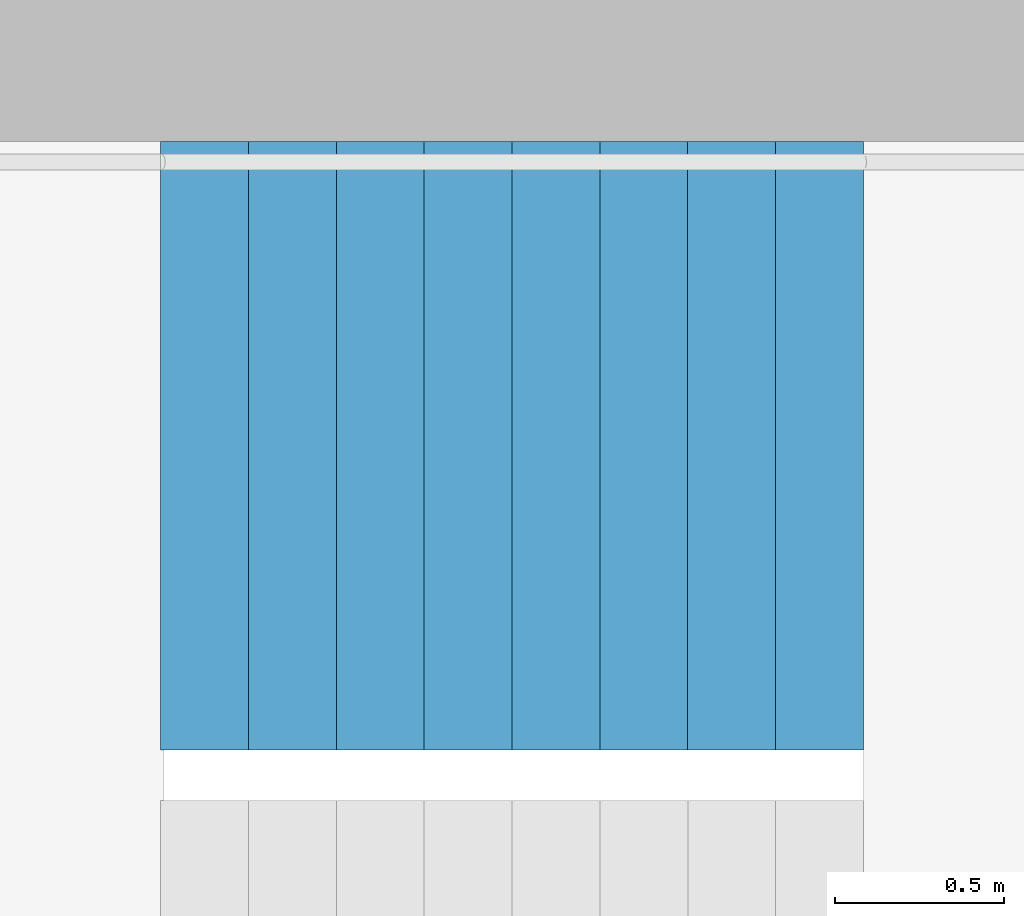
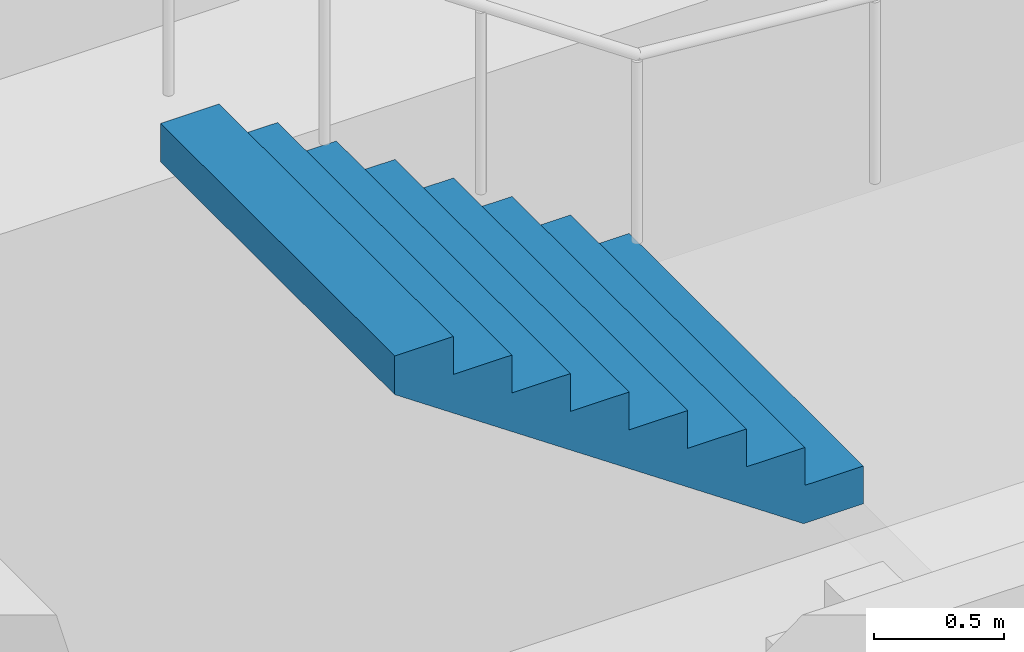
# One storey, part 21 of 26: 1 stair flight, 1 element without a shape of its own.
"""IFC4 building model written with IfcOpenShell, lengths in metres."""

from ifc_helpers import new_model, si_unit, direction, frame, origin, place, context, subcontext, project, spatial, triangles, material, type_object, element, aggregate, save


model = new_model("IFC4")

# Units and contexts
model_context = context("Model", 3, precision=1e-05, world=origin(), true_north=direction((0.0, 1.0)))
body_context = subcontext(model_context, "Body", "Model", "MODEL_VIEW")
ifc_project = project(units=[si_unit("LENGTHUNIT", "METRE"), si_unit("AREAUNIT", "SQUARE_METRE"), si_unit("VOLUMEUNIT", "CUBIC_METRE"), si_unit("PLANEANGLEUNIT", "RADIAN"), si_unit("MASSUNIT", "GRAM", prefix="KILO")], contexts=[model_context])

# Site, building, storey
site_placement = place(None, origin())
site = spatial("IfcSite", under=ifc_project, at=site_placement, CompositionType="ELEMENT")
building_placement = place(site_placement, origin())
building = spatial("IfcBuilding", under=site, at=building_placement, Name="Hakoniwa Tower and Hamabe Station Hall", CompositionType="ELEMENT")
storey_placement = place(building_placement, frame((0.0, 0.0, 143.800048828125)))
storey = spatial("IfcBuildingStorey", under=building, at=storey_placement, Name="L40", CompositionType="ELEMENT", Elevation=143.800048828125)

# Stair, stair flight
ifc_material_1 = material(Name="Concrete C40", Category="concrete")
stair_type = type_object("IfcStairType", Name="ESCAPE STAIR 1800", PredefinedType="HALF_TURN_STAIR", material=ifc_material_1)
stair_placement = place(storey_placement, origin())
stair = element("IfcStair", 1, at=stair_placement, inside=storey, type_object=stair_type, Name="Escape stair ST-1 L40", PredefinedType="HALF_TURN_STAIR")
ifc_material_2 = material(Name="Concrete C40", Category="concrete")
stair_flight_type = type_object("IfcStairFlightType", Name="STAIR FLIGHT 1800", PredefinedType="STRAIGHT", material=ifc_material_2)
stair_flight_placement = place(storey_placement, frame((-22.320068359375, 6.60009765625, 1.599853515625), z_axis=(0.0, 0.0, 1.0), x_axis=(-1.0, 0.0, 0.0)))
stair_flight = element("IfcStairFlight", 2, at=stair_flight_placement, type_object=stair_flight_type, Name="ST-1 flight 2", NumberOfRisers=9, NumberOfTreads=8, PredefinedType="STRAIGHT", RiserHeight=0.177777778, TreadLength=0.26, context=body_context, shape_type="Tessellation", body=[
    triangles([(0.0, 0.89990234375, 0.0), (0.260009765625, 0.89990234375, 0.0), (0.265625, 0.89990234375, 0.0), (0.52001953125, 0.89990234375, 0.174072265625), (0.780029296875, 0.89990234375, 0.351806640625), (1.0400390625, 0.89990234375, 0.529541015625), (1.300048828125, 0.89990234375, 0.707275390625), (1.56005859375, 0.89990234375, 0.885009765625), (1.820068359375, 0.89990234375, 1.062744140625), (2.080078125, 0.89990234375, 1.24072265625), (2.080078125, 0.89990234375, 1.422119140625), (1.820068359375, 0.89990234375, 1.422119140625), (1.820068359375, 0.89990234375, 1.244384765625), (1.56005859375, 0.89990234375, 1.244384765625), (1.56005859375, 0.89990234375, 1.066650390625), (1.300048828125, 0.89990234375, 1.066650390625), (1.300048828125, 0.89990234375, 0.888916015625), (1.0400390625, 0.89990234375, 0.888916015625), (1.0400390625, 0.89990234375, 0.711181640625), (0.780029296875, 0.89990234375, 0.711181640625), (0.780029296875, 0.89990234375, 0.533447265625), (0.52001953125, 0.89990234375, 0.533447265625), (0.52001953125, 0.89990234375, 0.35546875), (0.265625, 0.89990234375, 0.35546875), (0.260009765625, 0.89990234375, 0.35546875), (0.260009765625, 0.89990234375, 0.177734375), (0.0, 0.89990234375, 0.177734375), (0.0, 0.06005859375, 0.0), (0.260009765625, 0.06005859375, 0.0), (0.265625, 0.06005859375, 0.0), (0.52001953125, 0.06005859375, 0.174072265625), (0.780029296875, 0.06005859375, 0.351806640625), (1.0400390625, 0.06005859375, 0.529541015625), (1.300048828125, 0.06005859375, 0.707275390625), (1.56005859375, 0.06005859375, 0.885009765625), (1.820068359375, 0.06005859375, 1.062744140625), (2.080078125, 0.06005859375, 1.24072265625), (2.080078125, 0.06005859375, 1.422119140625), (1.820068359375, 0.06005859375, 1.422119140625), (1.820068359375, 0.06005859375, 1.244384765625), (1.56005859375, 0.06005859375, 1.244384765625), (1.56005859375, 0.06005859375, 1.066650390625), (1.300048828125, 0.06005859375, 1.066650390625), (1.300048828125, 0.06005859375, 0.888916015625), (1.0400390625, 0.06005859375, 0.888916015625), (1.0400390625, 0.06005859375, 0.711181640625), (0.780029296875, 0.06005859375, 0.711181640625), (0.780029296875, 0.06005859375, 0.533447265625), (0.52001953125, 0.06005859375, 0.533447265625), (0.52001953125, 0.06005859375, 0.35546875), (0.265625, 0.06005859375, 0.35546875), (0.260009765625, 0.06005859375, 0.35546875), (0.260009765625, 0.06005859375, 0.177734375), (0.0, 0.06005859375, 0.177734375), (0.0, 0.04296875, 0.0), (0.260009765625, 0.04296875, 0.0), (0.265625, 0.04296875, 0.0), (0.52001953125, 0.04296875, 0.174072265625), (0.780029296875, 0.04296875, 0.351806640625), (1.0400390625, 0.04296875, 0.529541015625), (1.300048828125, 0.04296875, 0.707275390625), (1.56005859375, 0.04296875, 0.885009765625), (1.820068359375, 0.04296875, 1.062744140625), (2.080078125, 0.04296875, 1.24072265625), (2.080078125, 0.04296875, 1.422119140625), (1.820068359375, 0.04296875, 1.422119140625), (1.820068359375, 0.04296875, 1.244384765625), (1.56005859375, 0.04296875, 1.244384765625), (1.56005859375, 0.04296875, 1.066650390625), (1.300048828125, 0.04296875, 1.066650390625), (1.300048828125, 0.04296875, 0.888916015625), (1.0400390625, 0.04296875, 0.888916015625), (1.0400390625, 0.04296875, 0.711181640625), (0.780029296875, 0.04296875, 0.711181640625), (0.780029296875, 0.04296875, 0.533447265625), (0.52001953125, 0.04296875, 0.533447265625), (0.52001953125, 0.04296875, 0.35546875), (0.265625, 0.04296875, 0.35546875), (0.260009765625, 0.04296875, 0.35546875), (0.260009765625, 0.04296875, 0.177734375), (0.0, 0.04296875, 0.177734375), (0.0, 0.025634765625, 0.0), (0.260009765625, 0.025634765625, 0.0), (0.265625, 0.025634765625, 0.0), (0.52001953125, 0.025634765625, 0.174072265625), (0.780029296875, 0.025634765625, 0.351806640625), (1.0400390625, 0.025634765625, 0.529541015625), (1.300048828125, 0.025634765625, 0.707275390625), (1.56005859375, 0.025634765625, 0.885009765625), (1.820068359375, 0.025634765625, 1.062744140625), (2.080078125, 0.025634765625, 1.24072265625), (2.080078125, 0.025634765625, 1.422119140625), (1.820068359375, 0.025634765625, 1.422119140625), (1.820068359375, 0.025634765625, 1.244384765625), (1.56005859375, 0.025634765625, 1.244384765625), (1.56005859375, 0.025634765625, 1.066650390625), (1.300048828125, 0.025634765625, 1.066650390625), (1.300048828125, 0.025634765625, 0.888916015625), (1.0400390625, 0.025634765625, 0.888916015625), (1.0400390625, 0.025634765625, 0.711181640625), (0.780029296875, 0.025634765625, 0.711181640625), (0.780029296875, 0.025634765625, 0.533447265625), (0.52001953125, 0.025634765625, 0.533447265625), (0.52001953125, 0.025634765625, 0.35546875), (0.265625, 0.025634765625, 0.35546875), (0.260009765625, 0.025634765625, 0.35546875), (0.260009765625, 0.025634765625, 0.177734375), (0.0, 0.025634765625, 0.177734375), (0.0, 0.008544921875, 0.0), (0.260009765625, 0.008544921875, 0.0), (0.265625, 0.008544921875, 0.0), (0.52001953125, 0.008544921875, 0.174072265625), (0.780029296875, 0.008544921875, 0.351806640625), (1.0400390625, 0.008544921875, 0.529541015625), (1.300048828125, 0.008544921875, 0.707275390625), (1.56005859375, 0.008544921875, 0.885009765625), (1.820068359375, 0.008544921875, 1.062744140625), (2.080078125, 0.008544921875, 1.24072265625), (2.080078125, 0.008544921875, 1.422119140625), (1.820068359375, 0.008544921875, 1.422119140625), (1.820068359375, 0.008544921875, 1.244384765625), (1.56005859375, 0.008544921875, 1.244384765625), (1.56005859375, 0.008544921875, 1.066650390625), (1.300048828125, 0.008544921875, 1.066650390625), (1.300048828125, 0.008544921875, 0.888916015625), (1.0400390625, 0.008544921875, 0.888916015625), (1.0400390625, 0.008544921875, 0.711181640625), (0.780029296875, 0.008544921875, 0.711181640625), (0.780029296875, 0.008544921875, 0.533447265625), (0.52001953125, 0.008544921875, 0.533447265625), (0.52001953125, 0.008544921875, 0.35546875), (0.265625, 0.008544921875, 0.35546875), (0.260009765625, 0.008544921875, 0.35546875), (0.260009765625, 0.008544921875, 0.177734375), (0.0, 0.008544921875, 0.177734375), (0.0, -0.008544921875, 0.0), (0.260009765625, -0.008544921875, 0.0), (0.265625, -0.008544921875, 0.0), (0.52001953125, -0.008544921875, 0.174072265625), (0.780029296875, -0.008544921875, 0.351806640625), (1.0400390625, -0.008544921875, 0.529541015625), (1.300048828125, -0.008544921875, 0.707275390625), (1.56005859375, -0.008544921875, 0.885009765625), (1.820068359375, -0.008544921875, 1.062744140625), (2.080078125, -0.008544921875, 1.24072265625), (2.080078125, -0.008544921875, 1.422119140625), (1.820068359375, -0.008544921875, 1.422119140625), (1.820068359375, -0.008544921875, 1.244384765625), (1.56005859375, -0.008544921875, 1.244384765625), (1.56005859375, -0.008544921875, 1.066650390625), (1.300048828125, -0.008544921875, 1.066650390625), (1.300048828125, -0.008544921875, 0.888916015625), (1.0400390625, -0.008544921875, 0.888916015625), (1.0400390625, -0.008544921875, 0.711181640625), (0.780029296875, -0.008544921875, 0.711181640625), (0.780029296875, -0.008544921875, 0.533447265625), (0.52001953125, -0.008544921875, 0.533447265625), (0.52001953125, -0.008544921875, 0.35546875), (0.265625, -0.008544921875, 0.35546875), (0.260009765625, -0.008544921875, 0.35546875), (0.260009765625, -0.008544921875, 0.177734375), (0.0, -0.008544921875, 0.177734375), (0.0, -0.025634765625, 0.0), (0.260009765625, -0.025634765625, 0.0), (0.265625, -0.025634765625, 0.0), (0.52001953125, -0.025634765625, 0.174072265625), (0.780029296875, -0.025634765625, 0.351806640625), (1.0400390625, -0.025634765625, 0.529541015625), (1.300048828125, -0.025634765625, 0.707275390625), (1.56005859375, -0.025634765625, 0.885009765625), (1.820068359375, -0.025634765625, 1.062744140625), (2.080078125, -0.025634765625, 1.24072265625), (2.080078125, -0.025634765625, 1.422119140625), (1.820068359375, -0.025634765625, 1.422119140625), (1.820068359375, -0.025634765625, 1.244384765625), (1.56005859375, -0.025634765625, 1.244384765625), (1.56005859375, -0.025634765625, 1.066650390625), (1.300048828125, -0.025634765625, 1.066650390625), (1.300048828125, -0.025634765625, 0.888916015625), (1.0400390625, -0.025634765625, 0.888916015625), (1.0400390625, -0.025634765625, 0.711181640625), (0.780029296875, -0.025634765625, 0.711181640625), (0.780029296875, -0.025634765625, 0.533447265625), (0.52001953125, -0.025634765625, 0.533447265625), (0.52001953125, -0.025634765625, 0.35546875), (0.265625, -0.025634765625, 0.35546875), (0.260009765625, -0.025634765625, 0.35546875), (0.260009765625, -0.025634765625, 0.177734375), (0.0, -0.025634765625, 0.177734375), (0.0, -0.04296875, 0.0), (0.260009765625, -0.04296875, 0.0), (0.265625, -0.04296875, 0.0), (0.52001953125, -0.04296875, 0.174072265625), (0.780029296875, -0.04296875, 0.351806640625), (1.0400390625, -0.04296875, 0.529541015625), (1.300048828125, -0.04296875, 0.707275390625), (1.56005859375, -0.04296875, 0.885009765625), (1.820068359375, -0.04296875, 1.062744140625), (2.080078125, -0.04296875, 1.24072265625), (2.080078125, -0.04296875, 1.422119140625), (1.820068359375, -0.04296875, 1.422119140625), (1.820068359375, -0.04296875, 1.244384765625), (1.56005859375, -0.04296875, 1.244384765625), (1.56005859375, -0.04296875, 1.066650390625), (1.300048828125, -0.04296875, 1.066650390625), (1.300048828125, -0.04296875, 0.888916015625), (1.0400390625, -0.04296875, 0.888916015625), (1.0400390625, -0.04296875, 0.711181640625), (0.780029296875, -0.04296875, 0.711181640625), (0.780029296875, -0.04296875, 0.533447265625), (0.52001953125, -0.04296875, 0.533447265625), (0.52001953125, -0.04296875, 0.35546875), (0.265625, -0.04296875, 0.35546875), (0.260009765625, -0.04296875, 0.35546875), (0.260009765625, -0.04296875, 0.177734375), (0.0, -0.04296875, 0.177734375), (0.0, -0.06005859375, 0.0), (0.260009765625, -0.06005859375, 0.0), (0.265625, -0.06005859375, 0.0), (0.52001953125, -0.06005859375, 0.174072265625), (0.780029296875, -0.06005859375, 0.351806640625), (1.0400390625, -0.06005859375, 0.529541015625), (1.300048828125, -0.06005859375, 0.707275390625), (1.56005859375, -0.06005859375, 0.885009765625), (1.820068359375, -0.06005859375, 1.062744140625), (2.080078125, -0.06005859375, 1.24072265625), (2.080078125, -0.06005859375, 1.422119140625), (1.820068359375, -0.06005859375, 1.422119140625), (1.820068359375, -0.06005859375, 1.244384765625), (1.56005859375, -0.06005859375, 1.244384765625), (1.56005859375, -0.06005859375, 1.066650390625), (1.300048828125, -0.06005859375, 1.066650390625), (1.300048828125, -0.06005859375, 0.888916015625), (1.0400390625, -0.06005859375, 0.888916015625), (1.0400390625, -0.06005859375, 0.711181640625), (0.780029296875, -0.06005859375, 0.711181640625), (0.780029296875, -0.06005859375, 0.533447265625), (0.52001953125, -0.06005859375, 0.533447265625), (0.52001953125, -0.06005859375, 0.35546875), (0.265625, -0.06005859375, 0.35546875), (0.260009765625, -0.06005859375, 0.35546875), (0.260009765625, -0.06005859375, 0.177734375), (0.0, -0.06005859375, 0.177734375), (0.0, -0.89990234375, 0.0), (0.260009765625, -0.89990234375, 0.0), (0.265625, -0.89990234375, 0.0), (0.52001953125, -0.89990234375, 0.174072265625), (0.780029296875, -0.89990234375, 0.351806640625), (1.0400390625, -0.89990234375, 0.529541015625), (1.300048828125, -0.89990234375, 0.707275390625), (1.56005859375, -0.89990234375, 0.885009765625), (1.820068359375, -0.89990234375, 1.062744140625), (2.080078125, -0.89990234375, 1.24072265625), (2.080078125, -0.89990234375, 1.422119140625), (1.820068359375, -0.89990234375, 1.422119140625), (1.820068359375, -0.89990234375, 1.244384765625), (1.56005859375, -0.89990234375, 1.244384765625), (1.56005859375, -0.89990234375, 1.066650390625), (1.300048828125, -0.89990234375, 1.066650390625), (1.300048828125, -0.89990234375, 0.888916015625), (1.0400390625, -0.89990234375, 0.888916015625), (1.0400390625, -0.89990234375, 0.711181640625), (0.780029296875, -0.89990234375, 0.711181640625), (0.780029296875, -0.89990234375, 0.533447265625), (0.52001953125, -0.89990234375, 0.533447265625), (0.52001953125, -0.89990234375, 0.35546875), (0.265625, -0.89990234375, 0.35546875), (0.260009765625, -0.89990234375, 0.35546875), (0.260009765625, -0.89990234375, 0.177734375), (0.0, -0.89990234375, 0.177734375)], [[2, 27, 26], [245, 269, 270], [2, 1, 27], [245, 270, 244], [3, 25, 24], [246, 267, 268], [3, 26, 25], [246, 268, 269], [3, 2, 26], [246, 269, 245], [4, 24, 23], [247, 266, 267], [4, 3, 24], [247, 267, 246], [5, 22, 21], [248, 264, 265], [5, 23, 22], [248, 265, 266], [5, 4, 23], [248, 266, 247], [6, 20, 19], [249, 262, 263], [6, 21, 20], [249, 263, 264], [6, 5, 21], [249, 264, 248], [7, 18, 17], [250, 260, 261], [7, 19, 18], [250, 261, 262], [7, 6, 19], [250, 262, 249], [8, 16, 15], [251, 258, 259], [8, 17, 16], [251, 259, 260], [8, 7, 17], [251, 260, 250], [9, 14, 13], [252, 256, 257], [9, 15, 14], [252, 257, 258], [9, 8, 15], [252, 258, 251], [10, 12, 11], [253, 254, 255], [10, 13, 12], [253, 255, 256], [10, 9, 13], [253, 256, 252], [1, 2, 29], [1, 29, 28], [28, 29, 56], [28, 56, 55], [55, 56, 83], [55, 83, 82], [82, 83, 110], [82, 110, 109], [109, 110, 137], [109, 137, 136], [136, 137, 164], [136, 164, 163], [163, 164, 191], [163, 191, 190], [190, 191, 218], [190, 218, 217], [217, 218, 245], [217, 245, 244], [2, 3, 30], [2, 30, 29], [29, 30, 57], [29, 57, 56], [56, 57, 84], [56, 84, 83], [83, 84, 111], [83, 111, 110], [110, 111, 138], [110, 138, 137], [137, 138, 165], [137, 165, 164], [164, 165, 192], [164, 192, 191], [191, 192, 219], [191, 219, 218], [218, 219, 246], [218, 246, 245], [3, 4, 31], [3, 31, 30], [30, 31, 58], [30, 58, 57], [57, 58, 85], [57, 85, 84], [84, 85, 112], [84, 112, 111], [111, 112, 139], [111, 139, 138], [138, 139, 166], [138, 166, 165], [165, 166, 193], [165, 193, 192], [192, 193, 220], [192, 220, 219], [219, 220, 247], [219, 247, 246], [4, 5, 32], [4, 32, 31], [31, 32, 59], [31, 59, 58], [58, 59, 86], [58, 86, 85], [85, 86, 113], [85, 113, 112], [112, 113, 140], [112, 140, 139], [139, 140, 167], [139, 167, 166], [166, 167, 194], [166, 194, 193], [193, 194, 221], [193, 221, 220], [220, 221, 248], [220, 248, 247], [5, 6, 33], [5, 33, 32], [32, 33, 60], [32, 60, 59], [59, 60, 87], [59, 87, 86], [86, 87, 114], [86, 114, 113], [113, 114, 141], [113, 141, 140], [140, 141, 168], [140, 168, 167], [167, 168, 195], [167, 195, 194], [194, 195, 222], [194, 222, 221], [221, 222, 249], [221, 249, 248], [6, 7, 34], [6, 34, 33], [33, 34, 61], [33, 61, 60], [60, 61, 88], [60, 88, 87], [87, 88, 115], [87, 115, 114], [114, 115, 142], [114, 142, 141], [141, 142, 169], [141, 169, 168], [168, 169, 196], [168, 196, 195], [195, 196, 223], [195, 223, 222], [222, 223, 250], [222, 250, 249], [7, 8, 35], [7, 35, 34], [34, 35, 62], [34, 62, 61], [61, 62, 89], [61, 89, 88], [88, 89, 116], [88, 116, 115], [115, 116, 143], [115, 143, 142], [142, 143, 170], [142, 170, 169], [169, 170, 197], [169, 197, 196], [196, 197, 224], [196, 224, 223], [223, 224, 251], [223, 251, 250], [8, 9, 36], [8, 36, 35], [35, 36, 63], [35, 63, 62], [62, 63, 90], [62, 90, 89], [89, 90, 117], [89, 117, 116], [116, 117, 144], [116, 144, 143], [143, 144, 171], [143, 171, 170], [170, 171, 198], [170, 198, 197], [197, 198, 225], [197, 225, 224], [224, 225, 252], [224, 252, 251], [9, 10, 37], [9, 37, 36], [36, 37, 64], [36, 64, 63], [63, 64, 91], [63, 91, 90], [90, 91, 118], [90, 118, 117], [117, 118, 145], [117, 145, 144], [144, 145, 172], [144, 172, 171], [171, 172, 199], [171, 199, 198], [198, 199, 226], [198, 226, 225], [225, 226, 253], [225, 253, 252], [10, 11, 38], [10, 38, 37], [37, 38, 65], [37, 65, 64], [64, 65, 92], [64, 92, 91], [91, 92, 119], [91, 119, 118], [118, 119, 146], [118, 146, 145], [145, 146, 173], [145, 173, 172], [172, 173, 200], [172, 200, 199], [199, 200, 227], [199, 227, 226], [226, 227, 254], [226, 254, 253], [11, 12, 39], [11, 39, 38], [38, 39, 66], [38, 66, 65], [65, 66, 93], [65, 93, 92], [92, 93, 120], [92, 120, 119], [119, 120, 147], [119, 147, 146], [146, 147, 174], [146, 174, 173], [173, 174, 201], [173, 201, 200], [200, 201, 228], [200, 228, 227], [227, 228, 255], [227, 255, 254], [12, 13, 40], [12, 40, 39], [39, 40, 67], [39, 67, 66], [66, 67, 94], [66, 94, 93], [93, 94, 121], [93, 121, 120], [120, 121, 148], [120, 148, 147], [147, 148, 175], [147, 175, 174], [174, 175, 202], [174, 202, 201], [201, 202, 229], [201, 229, 228], [228, 229, 256], [228, 256, 255], [13, 14, 41], [13, 41, 40], [40, 41, 68], [40, 68, 67], [67, 68, 95], [67, 95, 94], [94, 95, 122], [94, 122, 121], [121, 122, 149], [121, 149, 148], [148, 149, 176], [148, 176, 175], [175, 176, 203], [175, 203, 202], [202, 203, 230], [202, 230, 229], [229, 230, 257], [229, 257, 256], [14, 15, 42], [14, 42, 41], [41, 42, 69], [41, 69, 68], [68, 69, 96], [68, 96, 95], [95, 96, 123], [95, 123, 122], [122, 123, 150], [122, 150, 149], [149, 150, 177], [149, 177, 176], [176, 177, 204], [176, 204, 203], [203, 204, 231], [203, 231, 230], [230, 231, 258], [230, 258, 257], [15, 16, 43], [15, 43, 42], [42, 43, 70], [42, 70, 69], [69, 70, 97], [69, 97, 96], [96, 97, 124], [96, 124, 123], [123, 124, 151], [123, 151, 150], [150, 151, 178], [150, 178, 177], [177, 178, 205], [177, 205, 204], [204, 205, 232], [204, 232, 231], [231, 232, 259], [231, 259, 258], [16, 17, 44], [16, 44, 43], [43, 44, 71], [43, 71, 70], [70, 71, 98], [70, 98, 97], [97, 98, 125], [97, 125, 124], [124, 125, 152], [124, 152, 151], [151, 152, 179], [151, 179, 178], [178, 179, 206], [178, 206, 205], [205, 206, 233], [205, 233, 232], [232, 233, 260], [232, 260, 259], [17, 18, 45], [17, 45, 44], [44, 45, 72], [44, 72, 71], [71, 72, 99], [71, 99, 98], [98, 99, 126], [98, 126, 125], [125, 126, 153], [125, 153, 152], [152, 153, 180], [152, 180, 179], [179, 180, 207], [179, 207, 206], [206, 207, 234], [206, 234, 233], [233, 234, 261], [233, 261, 260], [18, 19, 46], [18, 46, 45], [45, 46, 73], [45, 73, 72], [72, 73, 100], [72, 100, 99], [99, 100, 127], [99, 127, 126], [126, 127, 154], [126, 154, 153], [153, 154, 181], [153, 181, 180], [180, 181, 208], [180, 208, 207], [207, 208, 235], [207, 235, 234], [234, 235, 262], [234, 262, 261], [19, 20, 47], [19, 47, 46], [46, 47, 74], [46, 74, 73], [73, 74, 101], [73, 101, 100], [100, 101, 128], [100, 128, 127], [127, 128, 155], [127, 155, 154], [154, 155, 182], [154, 182, 181], [181, 182, 209], [181, 209, 208], [208, 209, 236], [208, 236, 235], [235, 236, 263], [235, 263, 262], [20, 21, 48], [20, 48, 47], [47, 48, 75], [47, 75, 74], [74, 75, 102], [74, 102, 101], [101, 102, 129], [101, 129, 128], [128, 129, 156], [128, 156, 155], [155, 156, 183], [155, 183, 182], [182, 183, 210], [182, 210, 209], [209, 210, 237], [209, 237, 236], [236, 237, 264], [236, 264, 263], [21, 22, 49], [21, 49, 48], [48, 49, 76], [48, 76, 75], [75, 76, 103], [75, 103, 102], [102, 103, 130], [102, 130, 129], [129, 130, 157], [129, 157, 156], [156, 157, 184], [156, 184, 183], [183, 184, 211], [183, 211, 210], [210, 211, 238], [210, 238, 237], [237, 238, 265], [237, 265, 264], [22, 23, 50], [22, 50, 49], [49, 50, 77], [49, 77, 76], [76, 77, 104], [76, 104, 103], [103, 104, 131], [103, 131, 130], [130, 131, 158], [130, 158, 157], [157, 158, 185], [157, 185, 184], [184, 185, 212], [184, 212, 211], [211, 212, 239], [211, 239, 238], [238, 239, 266], [238, 266, 265], [23, 24, 51], [23, 51, 50], [50, 51, 78], [50, 78, 77], [77, 78, 105], [77, 105, 104], [104, 105, 132], [104, 132, 131], [131, 132, 159], [131, 159, 158], [158, 159, 186], [158, 186, 185], [185, 186, 213], [185, 213, 212], [212, 213, 240], [212, 240, 239], [239, 240, 267], [239, 267, 266], [24, 25, 52], [24, 52, 51], [51, 52, 79], [51, 79, 78], [78, 79, 106], [78, 106, 105], [105, 106, 133], [105, 133, 132], [132, 133, 160], [132, 160, 159], [159, 160, 187], [159, 187, 186], [186, 187, 214], [186, 214, 213], [213, 214, 241], [213, 241, 240], [240, 241, 268], [240, 268, 267], [25, 26, 53], [25, 53, 52], [52, 53, 80], [52, 80, 79], [79, 80, 107], [79, 107, 106], [106, 107, 134], [106, 134, 133], [133, 134, 161], [133, 161, 160], [160, 161, 188], [160, 188, 187], [187, 188, 215], [187, 215, 214], [214, 215, 242], [214, 242, 241], [241, 242, 269], [241, 269, 268], [26, 27, 54], [26, 54, 53], [53, 54, 81], [53, 81, 80], [80, 81, 108], [80, 108, 107], [107, 108, 135], [107, 135, 134], [134, 135, 162], [134, 162, 161], [161, 162, 189], [161, 189, 188], [188, 189, 216], [188, 216, 215], [215, 216, 243], [215, 243, 242], [242, 243, 270], [242, 270, 269], [27, 1, 28], [27, 28, 54], [54, 28, 55], [54, 55, 81], [81, 55, 82], [81, 82, 108], [108, 82, 109], [108, 109, 135], [135, 109, 136], [135, 136, 162], [162, 136, 163], [162, 163, 189], [189, 163, 190], [189, 190, 216], [216, 190, 217], [216, 217, 243], [243, 217, 244], [243, 244, 270]], closed=True),
])
aggregate(stair, [stair_flight])

save(model, "model.ifc")
